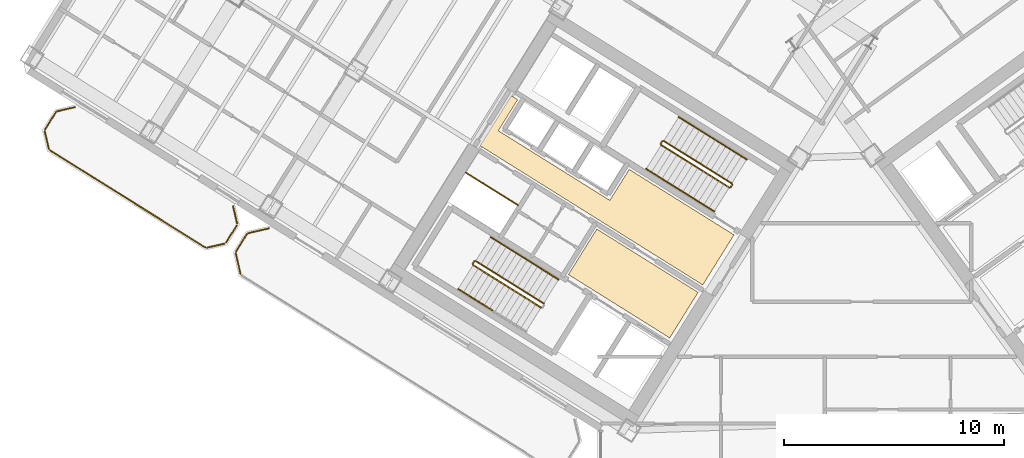
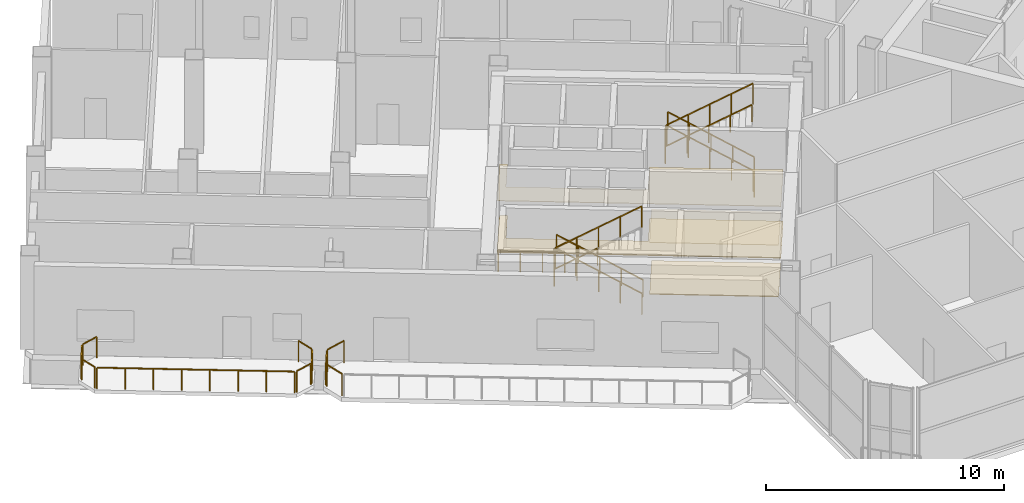
# One storey, part 19 of 21: 25 railings, 4 coverings.
"""IFC4 building model written with IfcOpenShell, lengths in metres."""

from ifc_helpers import new_model, si_unit, direction, frame, origin, origin_2d, place, context, subcontext, project, spatial, polyline, rectangle, outline, extrude, source, transform, mapped, material, layer, layer_set, type_object, element, save


model = new_model("IFC4")

# Units and contexts
model_context = context("Model", 3, precision=1e-05, world=origin(), true_north=direction((0.0, 1.0)))
body_context = subcontext(model_context, "Body", "Model", "MODEL_VIEW")
ifc_project = project(units=[si_unit("LENGTHUNIT", "METRE"), si_unit("AREAUNIT", "SQUARE_METRE"), si_unit("VOLUMEUNIT", "CUBIC_METRE"), si_unit("PLANEANGLEUNIT", "RADIAN"), si_unit("MASSUNIT", "GRAM", prefix="KILO")], contexts=[model_context])

# Site, building, storey
site_placement = place(None, origin())
site = spatial("IfcSite", under=ifc_project, at=site_placement, CompositionType="ELEMENT")
building_placement = place(site_placement, origin())
building = spatial("IfcBuilding", under=site, at=building_placement, Name="Tlacorven Tower", CompositionType="ELEMENT")
storey_placement = place(building_placement, frame((0.0, 0.0, 179.39990234375)))
storey = spatial("IfcBuildingStorey", under=building, at=storey_placement, Name="L45", CompositionType="ELEMENT", Elevation=179.39990234375)

# Coverings
ifc_material_1 = material(Name="Acoustic mineral-fibre ceiling")
ifc_layer_1 = layer(ifc_material_1, 0.02490234375)
ifc_layer_set_1 = layer_set([ifc_layer_1], Name="Acoustic mineral-fibre ceiling")
covering_type_1 = type_object("IfcCoveringType", Name="CV-CLG-ACST", PredefinedType="CEILING", material=ifc_layer_set_1)
covering_1_placement = place(storey_placement, frame((0.0, 0.0, 2.650146484375)))
element("IfcCovering", 1, at=covering_1_placement, inside=storey, type_object=covering_type_1, Name="L45 Acoustic Suspended Ceiling 1", PredefinedType="CEILING", context=body_context, shape_type="SweptSolid", body=[
    extrude(outline(polyline([(36.185302734375, 18.35595703125), (34.892333984375, 16.286865234375), (30.287353515625, 19.164306640625), (31.580322265625, 21.2333984375), (36.185302734375, 18.35595703125)])), origin(), (0.0, 0.0, 1.0), 0.02490234375),
])
covering_2_placement = place(storey_placement, frame((0.0, 0.0, 2.650146484375)))
element("IfcCovering", 2, at=covering_2_placement, inside=storey, type_object=covering_type_1, Name="L45 Acoustic Suspended Ceiling 2", PredefinedType="CEILING", context=body_context, shape_type="SweptSolid", body=[
    extrude(outline(polyline([(37.8173828125, 20.968017578125), (36.397216796875, 18.6953125), (26.271484375, 25.0224609375), (27.691650390625, 27.295166015625), (27.97998046875, 27.114990234375), (27.100341796875, 25.707275390625), (32.171630859375, 22.538330078125), (33.05126953125, 23.946044921875), (37.8173828125, 20.968017578125)])), origin(), (0.0, 0.0, 1.0), 0.02490234375),
])
ifc_material_2 = material(Name="Terrazzo and ceramic flooring")
ifc_layer_2 = layer(ifc_material_2, 0.0400390625)
ifc_layer_set_2 = layer_set([ifc_layer_2], Name="Terrazzo and ceramic flooring")
covering_type_2 = type_object("IfcCoveringType", Name="CV-FLR-TERZ", PredefinedType="FLOORING", material=ifc_layer_set_2)
covering_3_placement = place(storey_placement, origin())
element("IfcCovering", 3, at=covering_3_placement, inside=storey, type_object=covering_type_2, Name="L45 Terrazzo Floor Finish 1", PredefinedType="FLOORING", context=body_context, shape_type="SweptSolid", body=[
    extrude(outline(polyline([(36.185302734375, 18.35595703125), (34.892333984375, 16.286865234375), (30.287353515625, 19.164306640625), (31.580322265625, 21.2333984375), (36.185302734375, 18.35595703125)])), origin(), (0.0, 0.0, 1.0), 0.0400390625),
])
covering_4_placement = place(storey_placement, origin())
element("IfcCovering", 4, at=covering_4_placement, inside=storey, type_object=covering_type_2, Name="L45 Terrazzo Floor Finish 2", PredefinedType="FLOORING", context=body_context, shape_type="SweptSolid", body=[
    extrude(outline(polyline([(37.8173828125, 20.968017578125), (36.397216796875, 18.6953125), (26.271484375, 25.0224609375), (27.691650390625, 27.295166015625), (27.97998046875, 27.114990234375), (27.100341796875, 25.707275390625), (32.171630859375, 22.538330078125), (33.05126953125, 23.946044921875), (37.8173828125, 20.968017578125)])), origin(), (0.0, 0.0, 1.0), 0.0400390625),
])

# Railings
ifc_material_3 = material(Name="Aluminium and painted steel balustrade", Category="steel")
railing_type_1 = type_object("IfcRailingType", Name="RL-GRD-1100", PredefinedType="GUARDRAIL", material=ifc_material_3)
shared_shape_1 = source(origin(), body_context, "Body", "SweptSolid", [
    extrude(rectangle(XDim=0.048095703125, YDim=0.048095703125, at=origin_2d()), frame((0.0, 0.0, 1.076171875), z_axis=(-0.848091358275, 0.529850024081, 0.0), x_axis=(-0.529850024081, -0.848091358275, 0.0)), (0.0, 0.0, 1.0), 2.800048828125),
    extrude(rectangle(XDim=0.0419921875, YDim=0.0419921875, at=origin_2d()), origin(), (0.0, 0.0, 1.0), 1.052001953125),
    extrude(rectangle(XDim=0.0419921875, YDim=0.0419921875, at=origin_2d()), frame((-0.79150390625, 0.49462890625, 0.0)), (0.0, 0.0, 1.0), 1.052001953125),
    extrude(rectangle(XDim=0.0419921875, YDim=0.0419921875, at=origin_2d()), frame((-1.583251953125, 0.989013671875, 0.0)), (0.0, 0.0, 1.0), 1.052001953125),
    extrude(rectangle(XDim=0.0419921875, YDim=0.0419921875, at=origin_2d()), frame((-2.374755859375, 1.483642578125, 0.0)), (0.0, 0.0, 1.0), 1.052001953125),
])
railing_1_placement = place(storey_placement, frame((27.9912109375, 22.32080078125, 0.0)))
element("IfcRailing", 5, at=railing_1_placement, inside=storey, type_object=railing_type_1, Name="L45 Electrical Riser W Shaft Guard 1", PredefinedType="GUARDRAIL", context=body_context, shape_type="MappedRepresentation", body=[
    mapped(shared_shape_1, transform((0.0, 0.0, 0.0), scale=1.0)),
])
railing_type_2 = type_object("IfcRailingType", Name="RL-BAL-1100", PredefinedType="BALUSTRADE", material=ifc_material_3)
shared_shape_2 = source(origin(), body_context, "Body", "SweptSolid", [
    extrude(rectangle(XDim=0.048095703125, YDim=0.048095703125, at=origin_2d()), frame((0.0, 0.0, 1.076171875), z_axis=(0.225058334816, -0.974345290916, 0.0), x_axis=(0.974345290916, 0.225058334816, 0.0)), (0.0, 0.0, 1.0), 0.80712890625),
    extrude(rectangle(XDim=0.0419921875, YDim=0.0419921875, at=origin_2d()), origin(), (0.0, 0.0, 1.0), 1.052001953125),
    extrude(rectangle(XDim=0.0419921875, YDim=0.0419921875, at=origin_2d()), frame((0.181640625, -0.786376953125, 0.0)), (0.0, 0.0, 1.0), 1.052001953125),
])
railing_2_placement = place(storey_placement, frame((15.043212890625, 22.274658203125, 0.0)))
element("IfcRailing", 6, at=railing_2_placement, inside=storey, type_object=railing_type_2, Name="BAL-L45-W-OUT Guard Railing 1", PredefinedType="BALUSTRADE", context=body_context, shape_type="MappedRepresentation", body=[
    mapped(shared_shape_2, transform((0.0, 0.0, 0.0), scale=1.0)),
])
shared_shape_3 = source(origin(), body_context, "Body", "SweptSolid", [
    extrude(rectangle(XDim=0.048095703125, YDim=0.048095703125, at=origin_2d()), frame((0.0, 0.0, 1.076171875), z_axis=(-0.52987865805, -0.848073468364, 0.0), x_axis=(0.848073468364, -0.52987865805, 0.0)), (0.0, 0.0, 1.0), 0.912353515625),
    extrude(rectangle(XDim=0.0419921875, YDim=0.0419921875, at=origin_2d()), origin(), (0.0, 0.0, 1.0), 1.052001953125),
    extrude(rectangle(XDim=0.0419921875, YDim=0.0419921875, at=origin_2d()), frame((-0.4833984375, -0.773681640625, 0.0)), (0.0, 0.0, 1.0), 1.052001953125),
])
railing_3_placement = place(storey_placement, frame((15.20947265625, 21.397216796875, 0.0)))
element("IfcRailing", 7, at=railing_3_placement, inside=storey, type_object=railing_type_2, Name="BAL-L45-W-OUT Guard Railing 2", PredefinedType="BALUSTRADE", context=body_context, shape_type="MappedRepresentation", body=[
    mapped(shared_shape_3, transform((0.0, 0.0, 0.0), scale=1.0)),
])
shared_shape_4 = source(origin(), body_context, "Body", "SweptSolid", [
    extrude(rectangle(XDim=0.048095703125, YDim=0.048095703125, at=origin_2d()), frame((0.0, 0.0, 1.076171875), z_axis=(-0.225058334816, 0.974345290916, 0.0), x_axis=(-0.974345290916, -0.225058334816, 0.0)), (0.0, 0.0, 1.0), 0.80712890625),
    extrude(rectangle(XDim=0.0419921875, YDim=0.0419921875, at=origin_2d()), origin(), (0.0, 0.0, 1.0), 1.052001953125),
    extrude(rectangle(XDim=0.0419921875, YDim=0.0419921875, at=origin_2d()), frame((-0.181640625, 0.786376953125, 0.0)), (0.0, 0.0, 1.0), 1.052001953125),
])
railing_4_placement = place(storey_placement, frame((6.66650390625, 24.88623046875, 0.0)))
element("IfcRailing", 8, at=railing_4_placement, inside=storey, type_object=railing_type_2, Name="BAL-L45-W-OUT Guard Railing 5", PredefinedType="BALUSTRADE", context=body_context, shape_type="MappedRepresentation", body=[
    mapped(shared_shape_4, transform((0.0, 0.0, 0.0), scale=1.0)),
])
shared_shape_5 = source(origin(), body_context, "Body", "SweptSolid", [
    extrude(rectangle(XDim=0.048095703125, YDim=0.048095703125, at=origin_2d()), frame((0.0, 0.0, 1.076171875), z_axis=(-0.974345290916, -0.225058334816, 0.0), x_axis=(0.225058334816, -0.974345290916, 0.0)), (0.0, 0.0, 1.0), 0.80712890625),
    extrude(rectangle(XDim=0.0419921875, YDim=0.0419921875, at=origin_2d()), origin(), (0.0, 0.0, 1.0), 1.052001953125),
    extrude(rectangle(XDim=0.0419921875, YDim=0.0419921875, at=origin_2d()), frame((-0.786376953125, -0.181640625, 0.0)), (0.0, 0.0, 1.0), 1.052001953125),
])
railing_5_placement = place(storey_placement, frame((14.65087890625, 20.570068359375, 0.0)))
element("IfcRailing", 9, at=railing_5_placement, inside=storey, type_object=railing_type_2, Name="BAL-L45-W-OUT Guard Railing 3", PredefinedType="BALUSTRADE", context=body_context, shape_type="MappedRepresentation", body=[
    mapped(shared_shape_5, transform((0.0, 0.0, 0.0), scale=1.0)),
])
shared_shape_6 = source(origin(), body_context, "Body", "SweptSolid", [
    extrude(rectangle(XDim=0.048095703125, YDim=0.048095703125, at=origin_2d()), frame((0.0, 0.0, 1.076171875), z_axis=(0.974411586182, 0.224771129628, 0.0), x_axis=(-0.224771129628, 0.974411586182, 0.0)), (0.0, 0.0, 1.0), 0.80712890625),
    extrude(rectangle(XDim=0.0419921875, YDim=0.0419921875, at=origin_2d()), origin(), (0.0, 0.0, 1.0), 1.052001953125),
    extrude(rectangle(XDim=0.0419921875, YDim=0.0419921875, at=origin_2d()), frame((0.786376953125, 0.181396484375, 0.0)), (0.0, 0.0, 1.0), 1.052001953125),
])
railing_6_placement = place(storey_placement, frame((7.05859375, 26.591064453125, 0.0)))
element("IfcRailing", 10, at=railing_6_placement, inside=storey, type_object=railing_type_2, Name="BAL-L45-W-OUT Guard Railing 7", PredefinedType="BALUSTRADE", context=body_context, shape_type="MappedRepresentation", body=[
    mapped(shared_shape_6, transform((0.0, 0.0, 0.0), scale=1.0)),
])
shared_shape_7 = source(origin(), body_context, "Body", "SweptSolid", [
    extrude(rectangle(XDim=0.048095703125, YDim=0.048095703125, at=origin_2d()), frame((0.0, 0.0, 1.076171875), z_axis=(-0.848049421171, 0.529917143761, 0.0), x_axis=(-0.529917143761, -0.848049421171, 0.0)), (0.0, 0.0, 1.0), 8.3173828125),
    extrude(rectangle(XDim=0.0419921875, YDim=0.0419921875, at=origin_2d()), origin(), (0.0, 0.0, 1.0), 1.052001953125),
    extrude(rectangle(XDim=0.0419921875, YDim=0.0419921875, at=origin_2d()), frame((-1.007568359375, 0.629638671875, 0.0)), (0.0, 0.0, 1.0), 1.052001953125),
    extrude(rectangle(XDim=0.0419921875, YDim=0.0419921875, at=origin_2d()), frame((-2.015380859375, 1.25927734375, 0.0)), (0.0, 0.0, 1.0), 1.052001953125),
    extrude(rectangle(XDim=0.0419921875, YDim=0.0419921875, at=origin_2d()), frame((-3.02294921875, 1.888916015625, 0.0)), (0.0, 0.0, 1.0), 1.052001953125),
    extrude(rectangle(XDim=0.0419921875, YDim=0.0419921875, at=origin_2d()), frame((-4.030517578125, 2.5185546875, 0.0)), (0.0, 0.0, 1.0), 1.052001953125),
    extrude(rectangle(XDim=0.0419921875, YDim=0.0419921875, at=origin_2d()), frame((-5.0380859375, 3.148193359375, 0.0)), (0.0, 0.0, 1.0), 1.052001953125),
    extrude(rectangle(XDim=0.0419921875, YDim=0.0419921875, at=origin_2d()), frame((-6.0458984375, 3.77783203125, 0.0)), (0.0, 0.0, 1.0), 1.052001953125),
    extrude(rectangle(XDim=0.0419921875, YDim=0.0419921875, at=origin_2d()), frame((-7.053466796875, 4.407470703125, 0.0)), (0.0, 0.0, 1.0), 1.052001953125),
])
railing_7_placement = place(storey_placement, frame((13.7734375, 20.403564453125, 0.0)))
element("IfcRailing", 11, at=railing_7_placement, inside=storey, type_object=railing_type_2, Name="BAL-L45-W-OUT Guard Railing 4", PredefinedType="BALUSTRADE", context=body_context, shape_type="MappedRepresentation", body=[
    mapped(shared_shape_7, transform((0.0, 0.0, 0.0), scale=1.0)),
])
shared_shape_8 = source(origin(), body_context, "Body", "SweptSolid", [
    extrude(rectangle(XDim=0.048095703125, YDim=0.048095703125, at=origin_2d()), frame((0.0, 0.0, 1.076171875), z_axis=(0.529998940003, 0.847998304005, 0.0), x_axis=(-0.847998304005, 0.529998940003, 0.0)), (0.0, 0.0, 1.0), 0.912109375),
    extrude(rectangle(XDim=0.0419921875, YDim=0.0419921875, at=origin_2d()), origin(), (0.0, 0.0, 1.0), 1.052001953125),
    extrude(rectangle(XDim=0.0419921875, YDim=0.0419921875, at=origin_2d()), frame((0.4833984375, 0.7734375, 0.0)), (0.0, 0.0, 1.0), 1.052001953125),
])
railing_8_placement = place(storey_placement, frame((6.5, 25.763916015625, 0.0)))
element("IfcRailing", 12, at=railing_8_placement, inside=storey, type_object=railing_type_2, Name="BAL-L45-W-OUT Guard Railing 6", PredefinedType="BALUSTRADE", context=body_context, shape_type="MappedRepresentation", body=[
    mapped(shared_shape_8, transform((0.0, 0.0, 0.0), scale=1.0)),
])
railing_type_3 = type_object("IfcRailingType", Name="RL-GRD-1150", PredefinedType="GUARDRAIL", material=ifc_material_3)
shared_shape_9 = source(origin(), body_context, "Body", "SweptSolid", [
    extrude(rectangle(XDim=0.048095703125, YDim=0.048095703125, at=origin_2d()), frame((0.0, 0.0, 1.1259765625), z_axis=(-0.224991110535, 0.974360816218, 0.0), x_axis=(-0.974360816218, -0.224991110535, 0.0)), (0.0, 0.0, 1.0), 0.948486328125),
    extrude(rectangle(XDim=0.0419921875, YDim=0.0419921875, at=origin_2d()), origin(), (0.0, 0.0, 1.0), 1.101806640625),
    extrude(rectangle(XDim=0.0419921875, YDim=0.0419921875, at=origin_2d()), frame((-0.21337890625, 0.924072265625, 0.0)), (0.0, 0.0, 1.0), 1.101806640625),
])
railing_9_placement = place(storey_placement, frame((15.380126953125, 19.20556640625, 0.0)))
element("IfcRailing", 13, at=railing_9_placement, inside=storey, type_object=railing_type_3, Name="TER-L45-SGW Guard Railing 5", PredefinedType="GUARDRAIL", context=body_context, shape_type="MappedRepresentation", body=[
    mapped(shared_shape_9, transform((0.0, 0.0, 0.0), scale=1.0)),
])
shared_shape_10 = source(origin(), body_context, "Body", "SweptSolid", [
    extrude(rectangle(XDim=0.048095703125, YDim=0.048095703125, at=origin_2d()), frame((0.0, 0.0, 1.1259765625), z_axis=(0.529998940003, 0.847998304005, 0.0), x_axis=(-0.847998304005, 0.529998940003, 0.0)), (0.0, 0.0, 1.0), 0.912109375),
    extrude(rectangle(XDim=0.0419921875, YDim=0.0419921875, at=origin_2d()), origin(), (0.0, 0.0, 1.0), 1.101806640625),
    extrude(rectangle(XDim=0.0419921875, YDim=0.0419921875, at=origin_2d()), frame((0.4833984375, 0.7734375, 0.0)), (0.0, 0.0, 1.0), 1.101806640625),
])
railing_10_placement = place(storey_placement, frame((15.181884765625, 20.220947265625, 0.0)))
element("IfcRailing", 14, at=railing_10_placement, inside=storey, type_object=railing_type_3, Name="TER-L45-SGW Guard Railing 6", PredefinedType="GUARDRAIL", context=body_context, shape_type="MappedRepresentation", body=[
    mapped(shared_shape_10, transform((0.0, 0.0, 0.0), scale=1.0)),
])
shared_shape_11 = source(origin(), body_context, "Body", "SweptSolid", [
    extrude(rectangle(XDim=0.048095703125, YDim=0.048095703125, at=origin_2d()), frame((0.0, 0.0, 1.1259765625), z_axis=(0.974373842523, 0.224934690535, 0.0), x_axis=(-0.224934690535, 0.974373842523, 0.0)), (0.0, 0.0, 1.0), 0.94873046875),
    extrude(rectangle(XDim=0.0419921875, YDim=0.0419921875, at=origin_2d()), origin(), (0.0, 0.0, 1.0), 1.101806640625),
    extrude(rectangle(XDim=0.0419921875, YDim=0.0419921875, at=origin_2d()), frame((0.92431640625, 0.21337890625, 0.0)), (0.0, 0.0, 1.0), 1.101806640625),
])
railing_11_placement = place(storey_placement, frame((15.740478515625, 21.048095703125, 0.0)))
element("IfcRailing", 15, at=railing_11_placement, inside=storey, type_object=railing_type_3, Name="TER-L45-SGW Guard Railing 7", PredefinedType="GUARDRAIL", context=body_context, shape_type="MappedRepresentation", body=[
    mapped(shared_shape_11, transform((0.0, 0.0, 0.0), scale=1.0)),
])
shared_shape_12 = source(origin(), body_context, "Body", "SweptSolid", [
    extrude(rectangle(XDim=0.048095703125, YDim=0.048095703125, at=origin_2d()), frame((0.0, 0.0, 1.076171875), z_axis=(-0.723262235119, 0.451953093932, 0.522139962209), x_axis=(-0.529926592015, -0.848043517206, 0.0)), (0.0, 0.0, 1.0), 4.26806640625),
    extrude(rectangle(XDim=0.0419921875, YDim=0.0419921875, at=origin_2d()), origin(), (0.0, 0.0, 1.0), 1.052001953125),
    extrude(rectangle(XDim=0.0419921875, YDim=0.0419921875, at=origin_2d()), frame((-0.771728515625, 0.482177734375, 0.55712890625)), (0.0, 0.0, 1.0), 1.052001953125),
    extrude(rectangle(XDim=0.0419921875, YDim=0.0419921875, at=origin_2d()), frame((-1.54345703125, 0.96435546875, 1.1142578125)), (0.0, 0.0, 1.0), 1.052001953125),
    extrude(rectangle(XDim=0.0419921875, YDim=0.0419921875, at=origin_2d()), frame((-2.315185546875, 1.44677734375, 1.67138671875)), (0.0, 0.0, 1.0), 1.052001953125),
    extrude(rectangle(XDim=0.0419921875, YDim=0.0419921875, at=origin_2d()), frame((-3.0869140625, 1.928955078125, 2.228515625)), (0.0, 0.0, 1.0), 1.052001953125),
])
for number, where, name in (
    (16, (29.16064453125, 17.851806640625, 0.171630859375), "L45 ST-W1 stair guard 1"),
    (17, (37.712158203125, 23.3095703125, 0.171630859375), "L45 ST-W2 stair guard 1"),
):
    element("IfcRailing", number, at=place(storey_placement, frame(where)), inside=storey, type_object=railing_type_1, Name=name, PredefinedType="GUARDRAIL", context=body_context, shape_type="MappedRepresentation", body=[
        mapped(shared_shape_12, transform((0.0, 0.0, 0.0), scale=1.0)),
    ])
shared_shape_13 = source(origin(), body_context, "Body", "SweptSolid", [
    extrude(rectangle(XDim=0.048095703125, YDim=0.048095703125, at=origin_2d()), frame((0.0, 0.0, 1.076171875), z_axis=(-0.529084052582, -0.848569422795, 0.0), x_axis=(0.848569422795, -0.529084052582, 0.0)), (0.0, 0.0, 1.0), 0.119873046875),
    extrude(rectangle(XDim=0.0419921875, YDim=0.0419921875, at=origin_2d()), origin(), (0.0, 0.0, 1.0), 1.052001953125),
    extrude(rectangle(XDim=0.0419921875, YDim=0.0419921875, at=origin_2d()), frame((-0.0634765625, -0.101806640625, 0.0)), (0.0, 0.0, 1.0), 1.052001953125),
])
railing_12_placement = place(storey_placement, frame((26.0048828125, 19.764892578125, 2.400146484375)))
element("IfcRailing", 18, at=railing_12_placement, inside=storey, type_object=railing_type_1, Name="L45 ST-W1 stair guard 2", PredefinedType="GUARDRAIL", context=body_context, shape_type="MappedRepresentation", body=[
    mapped(shared_shape_13, transform((0.0, 0.0, 0.0), scale=1.0)),
])
shared_shape_14 = source(origin(), body_context, "Body", "SweptSolid", [
    extrude(rectangle(XDim=0.048095703125, YDim=0.048095703125, at=origin_2d()), frame((0.0, 0.0, 1.076171875), z_axis=(0.723262235119, -0.451953093932, 0.522139962209), x_axis=(0.529926592015, 0.848043517206, 0.0)), (0.0, 0.0, 1.0), 4.26806640625),
    extrude(rectangle(XDim=0.0419921875, YDim=0.0419921875, at=origin_2d()), origin(), (0.0, 0.0, 1.0), 1.052001953125),
    extrude(rectangle(XDim=0.0419921875, YDim=0.0419921875, at=origin_2d()), frame((0.771728515625, -0.482177734375, 0.55712890625)), (0.0, 0.0, 1.0), 1.052001953125),
    extrude(rectangle(XDim=0.0419921875, YDim=0.0419921875, at=origin_2d()), frame((1.54345703125, -0.96435546875, 1.1142578125)), (0.0, 0.0, 1.0), 1.052001953125),
    extrude(rectangle(XDim=0.0419921875, YDim=0.0419921875, at=origin_2d()), frame((2.315185546875, -1.44677734375, 1.67138671875)), (0.0, 0.0, 1.0), 1.052001953125),
    extrude(rectangle(XDim=0.0419921875, YDim=0.0419921875, at=origin_2d()), frame((3.0869140625, -1.928955078125, 2.228515625)), (0.0, 0.0, 1.0), 1.052001953125),
])
railing_13_placement = place(storey_placement, frame((25.957275390625, 19.59423828125, 2.571533203125)))
element("IfcRailing", 19, at=railing_13_placement, inside=storey, type_object=railing_type_1, Name="L45 ST-W1 stair guard 3", PredefinedType="GUARDRAIL", context=body_context, shape_type="MappedRepresentation", body=[
    mapped(shared_shape_14, transform((0.0, 0.0, 0.0), scale=1.0)),
])
railing_type_4 = type_object("IfcRailingType", Name="RL-HND-0900", PredefinedType="HANDRAIL", material=ifc_material_3)
shared_shape_15 = source(origin(), body_context, "Body", "SweptSolid", [
    extrude(rectangle(XDim=0.048095703125, YDim=0.048095703125, at=origin_2d()), frame((0.0, 0.0, 0.8759765625), z_axis=(-0.723243536433, 0.451998610004, 0.522126463189), x_axis=(-0.529974825293, -0.848013375222, 0.0)), (0.0, 0.0, 1.0), 2.134033203125),
    extrude(rectangle(XDim=0.0419921875, YDim=0.0419921875, at=origin_2d()), origin(), (0.0, 0.0, 1.0), 0.851806640625),
    extrude(rectangle(XDim=0.0419921875, YDim=0.0419921875, at=origin_2d()), frame((-0.771728515625, 0.482421875, 0.55712890625)), (0.0, 0.0, 1.0), 0.851806640625),
    extrude(rectangle(XDim=0.0419921875, YDim=0.0419921875, at=origin_2d()), frame((-1.54345703125, 0.964599609375, 1.1142578125)), (0.0, 0.0, 1.0), 0.851806640625),
])
for number, where, name in (
    (20, (29.839111328125, 18.937255859375, 0.171630859375), "L45 ST-W1 stair handrail 1"),
    (21, (36.84716796875, 25.359375, 1.285888671875), "L45 ST-W2 stair handrail 2"),
):
    element("IfcRailing", number, at=place(storey_placement, frame(where)), inside=storey, type_object=railing_type_4, Name=name, PredefinedType="HANDRAIL", context=body_context, shape_type="MappedRepresentation", body=[
        mapped(shared_shape_15, transform((0.0, 0.0, 0.0), scale=1.0)),
    ])
shared_shape_16 = source(origin(), body_context, "Body", "SweptSolid", [
    extrude(rectangle(XDim=0.048095703125, YDim=0.048095703125, at=origin_2d()), frame((0.0, 0.0, 0.8759765625), z_axis=(-0.723280932889, 0.45190757433, 0.522153460567), x_axis=(-0.529878353595, -0.848073658589, 0.0)), (0.0, 0.0, 1.0), 2.134033203125),
    extrude(rectangle(XDim=0.0419921875, YDim=0.0419921875, at=origin_2d()), origin(), (0.0, 0.0, 1.0), 0.851806640625),
    extrude(rectangle(XDim=0.0419921875, YDim=0.0419921875, at=origin_2d()), frame((-0.771728515625, 0.482177734375, 0.55712890625)), (0.0, 0.0, 1.0), 0.851806640625),
    extrude(rectangle(XDim=0.0419921875, YDim=0.0419921875, at=origin_2d()), frame((-1.54345703125, 0.96435546875, 1.1142578125)), (0.0, 0.0, 1.0), 0.851806640625),
])
for number, where, name in (
    (22, (28.295654296875, 19.90185546875, 1.285888671875), "L45 ST-W1 stair handrail 2"),
    (23, (38.390625, 24.39501953125, 0.171630859375), "L45 ST-W2 stair handrail 1"),
):
    element("IfcRailing", number, at=place(storey_placement, frame(where)), inside=storey, type_object=railing_type_4, Name=name, PredefinedType="HANDRAIL", context=body_context, shape_type="MappedRepresentation", body=[
        mapped(shared_shape_16, transform((0.0, 0.0, 0.0), scale=1.0)),
    ])
shared_shape_17 = source(origin(), body_context, "Body", "SweptSolid", [
    extrude(rectangle(XDim=0.048095703125, YDim=0.048095703125, at=origin_2d()), frame((0.0, 0.0, 0.8759765625), z_axis=(0.723243536433, -0.451998610004, 0.522126463189), x_axis=(0.529974825293, 0.848013375222, 0.0)), (0.0, 0.0, 1.0), 2.134033203125),
    extrude(rectangle(XDim=0.0419921875, YDim=0.0419921875, at=origin_2d()), origin(), (0.0, 0.0, 1.0), 0.851806640625),
    extrude(rectangle(XDim=0.0419921875, YDim=0.0419921875, at=origin_2d()), frame((0.771728515625, -0.482421875, 0.55712890625)), (0.0, 0.0, 1.0), 0.851806640625),
    extrude(rectangle(XDim=0.0419921875, YDim=0.0419921875, at=origin_2d()), frame((1.54345703125, -0.964599609375, 1.1142578125)), (0.0, 0.0, 1.0), 0.851806640625),
])
for number, where, name in (
    (24, (25.27880859375, 18.5087890625, 2.571533203125), "L45 ST-W1 stair handrail 3"),
    (25, (35.3740234375, 23.001953125, 3.685791015625), "L45 ST-W2 stair handrail 4"),
):
    element("IfcRailing", number, at=place(storey_placement, frame(where)), inside=storey, type_object=railing_type_4, Name=name, PredefinedType="HANDRAIL", context=body_context, shape_type="MappedRepresentation", body=[
        mapped(shared_shape_17, transform((0.0, 0.0, 0.0), scale=1.0)),
    ])
shared_shape_18 = source(origin(), body_context, "Body", "SweptSolid", [
    extrude(rectangle(XDim=0.048095703125, YDim=0.048095703125, at=origin_2d()), frame((0.0, 0.0, 0.8759765625), z_axis=(0.723280932889, -0.45190757433, 0.522153460567), x_axis=(0.529878353595, 0.848073658589, 0.0)), (0.0, 0.0, 1.0), 2.134033203125),
    extrude(rectangle(XDim=0.0419921875, YDim=0.0419921875, at=origin_2d()), origin(), (0.0, 0.0, 1.0), 0.851806640625),
    extrude(rectangle(XDim=0.0419921875, YDim=0.0419921875, at=origin_2d()), frame((0.771728515625, -0.482177734375, 0.55712890625)), (0.0, 0.0, 1.0), 0.851806640625),
    extrude(rectangle(XDim=0.0419921875, YDim=0.0419921875, at=origin_2d()), frame((1.54345703125, -0.96435546875, 1.1142578125)), (0.0, 0.0, 1.0), 0.851806640625),
])
railing_14_placement = place(storey_placement, frame((33.83056640625, 23.96630859375, 2.571533203125)))
element("IfcRailing", 26, at=railing_14_placement, inside=storey, type_object=railing_type_4, Name="L45 ST-W2 stair handrail 3", PredefinedType="HANDRAIL", context=body_context, shape_type="MappedRepresentation", body=[
    mapped(shared_shape_18, transform((0.0, 0.0, 0.0), scale=1.0)),
])
shared_shape_19 = source(origin(), body_context, "Body", "SweptSolid", [
    extrude(rectangle(XDim=0.048095703125, YDim=0.048095703125, at=origin_2d()), frame((0.0, 0.0, 1.076171875), z_axis=(-0.530546985787, -0.847655529016, 0.0), x_axis=(0.847655529016, -0.530546985787, 0.0)), (0.0, 0.0, 1.0), 0.1201171875),
    extrude(rectangle(XDim=0.0419921875, YDim=0.0419921875, at=origin_2d()), origin(), (0.0, 0.0, 1.0), 1.052001953125),
    extrude(rectangle(XDim=0.0419921875, YDim=0.0419921875, at=origin_2d()), frame((-0.063720703125, -0.101806640625, 0.0)), (0.0, 0.0, 1.0), 1.052001953125),
])
railing_15_placement = place(storey_placement, frame((37.728271484375, 23.24072265625, 0.0)))
element("IfcRailing", 27, at=railing_15_placement, inside=storey, type_object=railing_type_1, Name="L45 ST-W2 stair guard 4", PredefinedType="GUARDRAIL", context=body_context, shape_type="MappedRepresentation", body=[
    mapped(shared_shape_19, transform((0.0, 0.0, 0.0), scale=1.0)),
])
shared_shape_20 = source(origin(), body_context, "Body", "SweptSolid", [
    extrude(rectangle(XDim=0.048095703125, YDim=0.048095703125, at=origin_2d()), frame((0.0, 0.0, 1.076171875), z_axis=(-0.529998940003, -0.847998304005, 0.0), x_axis=(0.847998304005, -0.529998940003, 0.0)), (0.0, 0.0, 1.0), 0.119873046875),
    extrude(rectangle(XDim=0.0419921875, YDim=0.0419921875, at=origin_2d()), origin(), (0.0, 0.0, 1.0), 1.052001953125),
    extrude(rectangle(XDim=0.0419921875, YDim=0.0419921875, at=origin_2d()), frame((-0.0634765625, -0.1015625, 0.0)), (0.0, 0.0, 1.0), 1.052001953125),
])
railing_16_placement = place(storey_placement, frame((34.556396484375, 25.222412109375, 2.400146484375)))
element("IfcRailing", 28, at=railing_16_placement, inside=storey, type_object=railing_type_1, Name="L45 ST-W2 stair guard 2", PredefinedType="GUARDRAIL", context=body_context, shape_type="MappedRepresentation", body=[
    mapped(shared_shape_20, transform((0.0, 0.0, 0.0), scale=1.0)),
])
shared_shape_21 = source(origin(), body_context, "Body", "SweptSolid", [
    extrude(rectangle(XDim=0.048095703125, YDim=0.048095703125, at=origin_2d()), frame((0.0, 0.0, 1.076171875), z_axis=(0.723280932889, -0.45190757433, 0.522153460567), x_axis=(0.529878353595, 0.848073658589, 0.0)), (0.0, 0.0, 1.0), 4.267822265625),
    extrude(rectangle(XDim=0.0419921875, YDim=0.0419921875, at=origin_2d()), origin(), (0.0, 0.0, 1.0), 1.052001953125),
    extrude(rectangle(XDim=0.0419921875, YDim=0.0419921875, at=origin_2d()), frame((0.771728515625, -0.482177734375, 0.55712890625)), (0.0, 0.0, 1.0), 1.052001953125),
    extrude(rectangle(XDim=0.0419921875, YDim=0.0419921875, at=origin_2d()), frame((1.54345703125, -0.96435546875, 1.1142578125)), (0.0, 0.0, 1.0), 1.052001953125),
    extrude(rectangle(XDim=0.0419921875, YDim=0.0419921875, at=origin_2d()), frame((2.315185546875, -1.446533203125, 1.67138671875)), (0.0, 0.0, 1.0), 1.052001953125),
    extrude(rectangle(XDim=0.0419921875, YDim=0.0419921875, at=origin_2d()), frame((3.0869140625, -1.9287109375, 2.228515625)), (0.0, 0.0, 1.0), 1.052001953125),
])
railing_17_placement = place(storey_placement, frame((34.5087890625, 25.0517578125, 2.571533203125)))
element("IfcRailing", 29, at=railing_17_placement, inside=storey, type_object=railing_type_1, Name="L45 ST-W2 stair guard 3", PredefinedType="GUARDRAIL", context=body_context, shape_type="MappedRepresentation", body=[
    mapped(shared_shape_21, transform((0.0, 0.0, 0.0), scale=1.0)),
])

save(model, "model.ifc")
